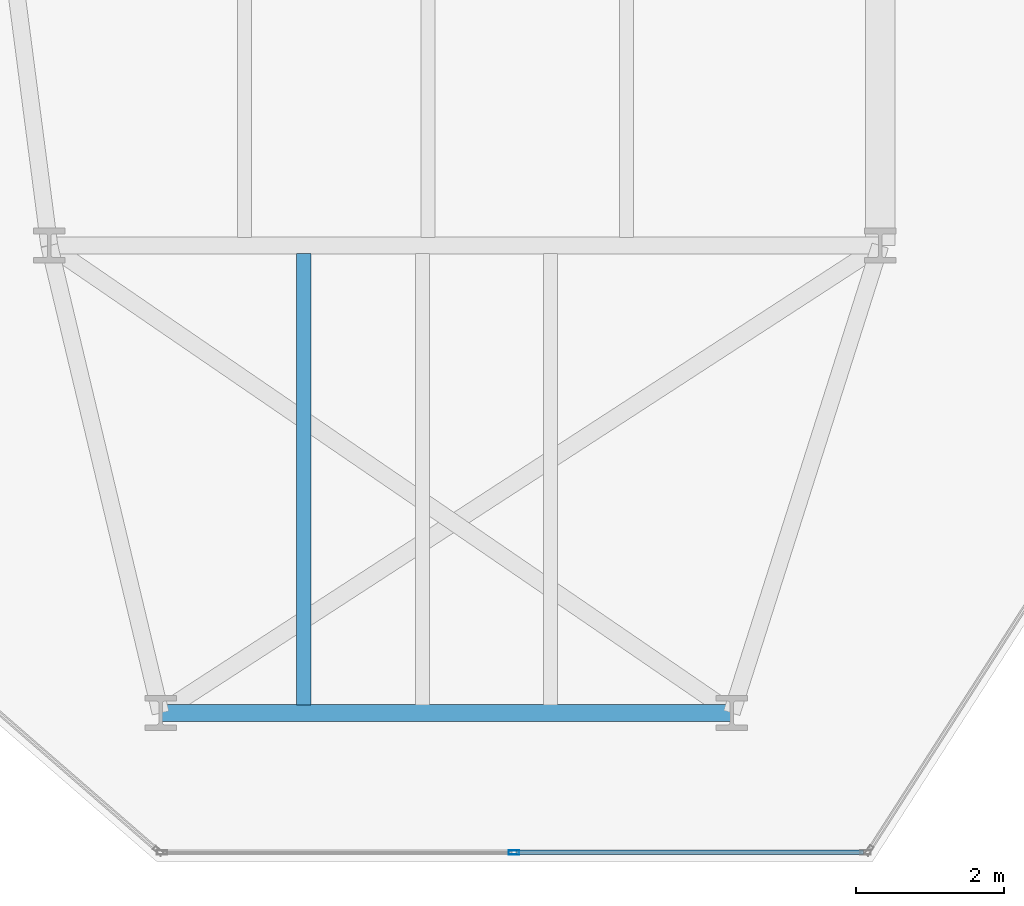
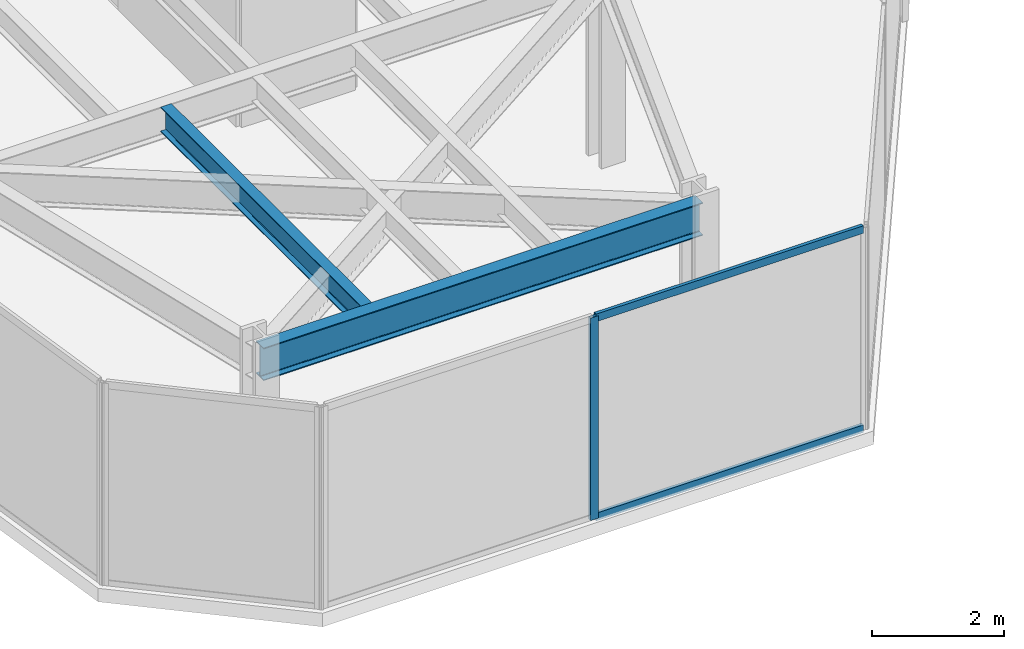
# One storey, part 3 of 26: 3 members, 2 beams, 1 element without a shape of its own.
"""IFC4 building model written with IfcOpenShell, lengths in metres."""

import ifcopenshell
import ifcopenshell.guid

model = None  # the IFC model being written
_history = None  # IfcOwnerHistory: only IFC2X3 demands one
_inside = {}  # id of a spatial element -> (the spatial element, [elements in it])
_under = {}  # id of a project, library or spatial element -> (it, [spatial elements below it])
_declared = {}  # id of a project -> (the project, [libraries it declares])
_typed = {}  # id of a type object -> (the type object, [elements of that type])
_made_of = {}  # id of a material, layer set ... -> (it, [elements and type objects made of it])


def new_model(schema):
    """Start an empty IFC model of exactly this schema.

    Asked for "IFC4X3", IfcOpenShell would pick the latest addendum, in which some entities
    have other attributes; the version numbers below select the first issue.
    IFC2X3 requires an IfcOwnerHistory on every rooted entity: one is made here for all.
    """
    global model, _history
    if schema == "IFC4X3":
        model = ifcopenshell.file(schema_version=(4, 3, 0, 0))
    else:
        model = ifcopenshell.file(schema=schema)
    _inside.clear()
    _under.clear()
    _declared.clear()
    _typed.clear()
    _made_of.clear()
    _history = None
    if model.schema == "IFC2X3":
        org = make("IfcOrganization", Name="unknown")
        user = make(
            "IfcPersonAndOrganization",
            ThePerson=make("IfcPerson", FamilyName="unknown"),
            TheOrganization=org,
        )
        app = make(
            "IfcApplication",
            ApplicationDeveloper=org,
            Version="unknown",
            ApplicationFullName="unknown",
            ApplicationIdentifier="unknown",
        )
        _history = make(
            "IfcOwnerHistory",
            OwningUser=user,
            OwningApplication=app,
            ChangeAction="ADDED",
            CreationDate=0,
        )
    return model


def make(cls, **values):
    """One entity of the class cls with the attributes given. An attribute that is None is left unset."""
    return model.create_entity(
        cls, **{name: value for name, value in values.items() if value is not None}
    )


def rooted(cls, **values):
    """An entity with a GlobalId (a new one), such as an element, a storey or a relation."""
    return make(cls, GlobalId=ifcopenshell.guid.new(), OwnerHistory=_history, **values)


def si_unit(unit_type, name, prefix=None):
    """IfcSIUnit, for example si_unit("LENGTHUNIT", "METRE", prefix="MILLI")."""
    return make("IfcSIUnit", UnitType=unit_type, Prefix=prefix, Name=name)


def assignment(units):
    """IfcUnitAssignment: the units of a project."""
    return None if units is None else make("IfcUnitAssignment", Units=units)


def point(xyz):
    """IfcCartesianPoint."""
    return None if xyz is None else make("IfcCartesianPoint", Coordinates=xyz)


def direction(xyz):
    """IfcDirection."""
    return None if xyz is None else make("IfcDirection", DirectionRatios=xyz)


def frame(location, z_axis=None, x_axis=None):
    """IfcAxis2Placement3D, a coordinate frame: its origin and axes. An axis left out is left unset."""
    return make(
        "IfcAxis2Placement3D",
        Location=point(location),
        Axis=direction(z_axis),
        RefDirection=direction(x_axis),
    )


def frame_2d(location, x_axis=None):
    """IfcAxis2Placement2D, a coordinate frame in the plane: its origin and x axis."""
    return make(
        "IfcAxis2Placement2D", Location=point(location), RefDirection=direction(x_axis)
    )


def origin():
    """The frame at (0, 0, 0) with its axes left unset."""
    return frame((0.0, 0.0, 0.0))


def origin_2d():
    """The frame at (0, 0) in the plane with its x axis left unset."""
    return frame_2d((0.0, 0.0))


def place(relative_to, where):
    """IfcLocalPlacement: puts the frame where relative to a parent placement (None: the world)."""
    return make(
        "IfcLocalPlacement", PlacementRelTo=relative_to, RelativePlacement=where
    )


def context(
    kind, dimensions, precision=None, world=None, true_north=None, identifier=None
):
    """IfcGeometricRepresentationContext, for example the 3D "Model" context."""
    return make(
        "IfcGeometricRepresentationContext",
        ContextIdentifier=identifier,
        ContextType=kind,
        CoordinateSpaceDimension=dimensions,
        Precision=precision,
        WorldCoordinateSystem=world,
        TrueNorth=true_north,
    )


def subcontext(parent, identifier, kind, view, scale=None):
    """IfcGeometricRepresentationSubContext, for example "Body" below "Model"."""
    return make(
        "IfcGeometricRepresentationSubContext",
        ContextIdentifier=identifier,
        ContextType=kind,
        ParentContext=parent,
        TargetScale=scale,
        TargetView=view,
    )


def project(units=None, contexts=None):
    """IfcProject with its units and contexts."""
    return rooted(
        "IfcProject",
        Name="project",
        RepresentationContexts=contexts,
        UnitsInContext=assignment(units),
    )


def spatial(cls, under=None, at=None, **own):
    """A site, building, storey or space (cls), placed at a placement, below another one or the project."""
    s = rooted(cls, ObjectPlacement=at, **own)
    if under is not None:
        _under.setdefault(under.id(), (under, []))[1].append(s)
    return s


def profile(cls, at=None, kind="AREA", **sizes):
    """A parametric profile (cls). Its sizes go by their IFC names, for example OverallWidth=200.0."""
    return make(cls, ProfileType=kind, Position=at, **sizes)


def hollow_rectangle(**sizes):
    """IfcRectangleHollowProfileDef."""
    return profile("IfcRectangleHollowProfileDef", **sizes)


def i_section(**sizes):
    """IfcIShapeProfileDef."""
    return profile("IfcIShapeProfileDef", **sizes)


def extrude(swept, where, along, depth):
    """IfcExtrudedAreaSolid: the profile swept, set in the frame where, extruded along a direction by depth."""
    return make(
        "IfcExtrudedAreaSolid",
        SweptArea=swept,
        Position=where,
        ExtrudedDirection=direction(along),
        Depth=depth,
    )


def shape(context_of_items, identifier, shape_type, items):
    """IfcShapeRepresentation: the items that make up one representation, for example the "Body"."""
    return make(
        "IfcShapeRepresentation",
        ContextOfItems=context_of_items,
        RepresentationIdentifier=identifier,
        RepresentationType=shape_type,
        Items=items,
    )


def material(Name=None, Category=None):
    """IfcMaterial."""
    return make("IfcMaterial", Name=Name, Category=Category)


def layer(
    of_material, thickness, ventilated=None, Name=None, Category=None, Priority=None
):
    """IfcMaterialLayer: one layer of a wall or slab, of a material (None: an air gap)."""
    return make(
        "IfcMaterialLayer",
        Material=of_material,
        LayerThickness=thickness,
        IsVentilated=ventilated,
        Name=Name,
        Category=Category,
        Priority=Priority,
    )


def layer_set(layers, Name=None):
    """IfcMaterialLayerSet."""
    return make("IfcMaterialLayerSet", MaterialLayers=layers, LayerSetName=Name)


def material_profile(
    of_material, cross_section, Name=None, Category=None, Priority=None
):
    """IfcMaterialProfile: a cross section and its material."""
    return make(
        "IfcMaterialProfile",
        Name=Name,
        Material=of_material,
        Profile=cross_section,
        Priority=Priority,
        Category=Category,
    )


def profile_set(profiles, Name=None, composite=None):
    """IfcMaterialProfileSet."""
    return make(
        "IfcMaterialProfileSet",
        Name=Name,
        MaterialProfiles=profiles,
        CompositeProfile=composite,
    )


def made_of(thing, what):
    """Note that an element or type object is made of a material, layer set ...; save() writes the relation."""
    if what is not None:
        _made_of.setdefault(what.id(), (what, []))[1].append(thing)
    return thing


def type_object(cls, material=None, **own):
    """A type object (cls), such as IfcWallType, which elements share."""
    return made_of(rooted(cls, **own), material)


def element(
    cls,
    number,
    at=None,
    inside=None,
    cuts=None,
    type_object=None,
    material=None,
    context=None,
    identifier="Body",
    shape_type=None,
    held_by="IfcProductDefinitionShape",
    body=None,
    shapes=None,
    **own,
):
    """One element of the class cls, such as IfcWall. Its Tag is "e" and its number.

    at: its placement. inside: the storey or other place that contains it. cuts: it is an
    opening in that element (IfcRelVoidsElement). A single representation is given by context,
    identifier, shape_type and body (its items); several are given by shapes. held_by: the class
    of the entity that holds the representations. save() writes the other relations.
    """
    e = rooted(cls, Tag="e%d" % number, ObjectPlacement=at, **own)
    if body is not None:
        shapes = [shape(context, identifier, shape_type, body)]
    if shapes is not None:
        e.Representation = make(held_by, Representations=shapes)
    if inside is not None:
        _inside.setdefault(inside.id(), (inside, []))[1].append(e)
    if cuts is not None:
        rooted(
            "IfcRelVoidsElement", RelatingBuildingElement=cuts, RelatedOpeningElement=e
        )
    if type_object is not None:
        _typed.setdefault(type_object.id(), (type_object, []))[1].append(e)
    return made_of(e, material)


def aggregate(whole, parts):
    """IfcRelAggregates: a whole, such as a stair, and the parts it consists of."""
    return rooted("IfcRelAggregates", RelatingObject=whole, RelatedObjects=parts)


def save(model, path):
    """Write the relations noted so far, then the file.

    IfcRelAggregates (storeys below a building ...), IfcRelContainedInSpatialStructure (elements
    in a storey), IfcRelDefinesByType, IfcRelAssociatesMaterial and IfcRelDeclares: one each for
    every whole, place, type object, material and project.
    """
    for whole, parts in _under.values():
        aggregate(whole, parts)
    for where, things in _inside.values():
        rooted(
            "IfcRelContainedInSpatialStructure",
            RelatedElements=things,
            RelatingStructure=where,
        )
    for kind, things in _typed.values():
        rooted("IfcRelDefinesByType", RelatedObjects=things, RelatingType=kind)
    for what, things in _made_of.values():
        rooted("IfcRelAssociatesMaterial", RelatedObjects=things, RelatingMaterial=what)
    for by, libraries in _declared.values():
        rooted("IfcRelDeclares", RelatingContext=by, RelatedDefinitions=libraries)
    model.write(path)


model = new_model("IFC4")

# Units and contexts
model_context = context("Model", 3, precision=1e-05, world=origin(), true_north=direction((0.0, 1.0)))
body_context = subcontext(model_context, "Body", "Model", "MODEL_VIEW")
ifc_project = project(units=[si_unit("LENGTHUNIT", "METRE"), si_unit("AREAUNIT", "SQUARE_METRE"), si_unit("VOLUMEUNIT", "CUBIC_METRE"), si_unit("PLANEANGLEUNIT", "RADIAN"), si_unit("MASSUNIT", "GRAM", prefix="KILO")], contexts=[model_context])

# Site, building, storey
site_placement = place(None, origin())
site = spatial("IfcSite", under=ifc_project, at=site_placement, CompositionType="ELEMENT")
building_placement = place(site_placement, origin())
building = spatial("IfcBuilding", under=site, at=building_placement, Name="Kravanh Interchange Tower", CompositionType="ELEMENT")
storey_placement = place(building_placement, frame((0.0, 0.0, 112.0)))
storey = spatial("IfcBuildingStorey", under=building, at=storey_placement, Name="L26", CompositionType="ELEMENT", Elevation=112.0)

# Curtain wall, members
ifc_material_1 = material(Name="Anodised Bronze Aluminium", Category="aluminium")
ifc_layer = layer(ifc_material_1, 0.179931640625)
ifc_layer_set = layer_set([ifc_layer], Name="Unitised Curtain Wall System CW-Z2 Mid Office")
curtain_wall_type = type_object("IfcCurtainWallType", Name="Unitised Curtain Wall System CW-Z2 Mid Office", PredefinedType="NOTDEFINED", material=ifc_layer_set)
curtain_wall_placement = place(storey_placement, origin())
curtain_wall = element("IfcCurtainWall", 1, at=curtain_wall_placement, inside=storey, type_object=curtain_wall_type, Name="L26 Unitised Curtain Wall CW-L26-06", PredefinedType="NOTDEFINED")
ifc_material_2 = material(Name="Anodised Bronze Aluminium", Category="aluminium")
ifc_material_profile_1 = material_profile(ifc_material_2, hollow_rectangle(XDim=0.06005859375, YDim=0.139892578125, WallThickness=0.00390625, at=origin_2d()), Name="ALU60X140X4")
ifc_profile_set_1 = profile_set([ifc_material_profile_1], Name="Anodised Bronze Aluminium")
member_type_1 = type_object("IfcMemberType", Name="Curtain Wall Mullion ALU60X140X4 Bronze", PredefinedType="MULLION", material=ifc_profile_set_1)
member_1_placement = place(storey_placement, frame((22.26220703125, 6.320068359375, 0.0), z_axis=(0.0, 0.0, 1.0), x_axis=(0.0, -1.0, 0.0)))
member_1 = element("IfcMember", 2, at=member_1_placement, type_object=member_type_1, Name="CW-Z2 mullion 2", PredefinedType="MULLION", context=body_context, shape_type="SweptSolid", body=[
    extrude(hollow_rectangle(XDim=0.06005859375, YDim=0.139892578125, WallThickness=0.00390625, at=origin_2d()), origin(), (0.0, 0.0, 1.0), 3.75),
])
ifc_material_3 = material(Name="Anodised Bronze Aluminium", Category="aluminium")
ifc_material_profile_2 = material_profile(ifc_material_3, hollow_rectangle(XDim=0.06005859375, YDim=0.139892578125, WallThickness=0.00390625, at=origin_2d()), Name="ALU60X140X4")
ifc_profile_set_2 = profile_set([ifc_material_profile_2], Name="Anodised Bronze Aluminium")
member_type_2 = type_object("IfcMemberType", Name="Curtain Wall Transom ALU60X140X4 Bronze", PredefinedType="USERDEFINED", material=ifc_profile_set_2)
member_2_placement = place(storey_placement, frame((26.974365234375, 6.320068359375, 0.030029296875), z_axis=(-1.0, 0.0, 0.0), x_axis=(0.0, -1.0, 0.0)))
member_2 = element("IfcMember", 3, at=member_2_placement, type_object=member_type_2, Name="CW-Z2 transom 1.1", ObjectType="TRANSOM", PredefinedType="USERDEFINED", context=body_context, shape_type="SweptSolid", body=[
    extrude(hollow_rectangle(XDim=0.06005859375, YDim=0.139892578125, WallThickness=0.00390625, at=origin_2d()), origin(), (0.0, 0.0, 1.0), 4.682373046875),
])
member_3_placement = place(storey_placement, frame((26.974365234375, 6.320068359375, 3.719970703125), z_axis=(-1.0, 0.0, 0.0), x_axis=(0.0, -1.0, 0.0)))
member_3 = element("IfcMember", 4, at=member_3_placement, type_object=member_type_2, Name="CW-Z2 transom 1.2", ObjectType="TRANSOM", PredefinedType="USERDEFINED", context=body_context, shape_type="SweptSolid", body=[
    extrude(hollow_rectangle(XDim=0.06005859375, YDim=0.139892578125, WallThickness=0.00390625, at=origin_2d()), origin(), (0.0, 0.0, 1.0), 4.682373046875),
])
aggregate(curtain_wall, [member_1, member_2, member_3])

# Beams
ifc_material_4 = material(Name="Structural Steel S355", Category="steel")
ifc_material_profile_3 = material_profile(ifc_material_4, i_section(OverallWidth=0.18994140625, OverallDepth=0.45703125, WebThickness=0.009033203125, FlangeThickness=0.014404296875, FilletRadius=0.01806640625, at=origin_2d()), Name="W18X50")
ifc_profile_set_3 = profile_set([ifc_material_profile_3], Name="Structural Steel S355")
beam_type_1 = type_object("IfcBeamType", Name="Floor Joist W18X50 Structural Steel S355", PredefinedType="JOIST", material=ifc_profile_set_3)
beam_1_placement = place(storey_placement, frame((19.429931640625, 8.30908203125, 3.521484375), z_axis=(0.0, 1.0, 0.0), x_axis=(-1.0, 0.0, 0.0)))
element("IfcBeam", 5, at=beam_1_placement, inside=storey, type_object=beam_type_1, Name="L26 Secondary Floor Joist 1", PredefinedType="JOIST", context=body_context, shape_type="SweptSolid", body=[
    extrude(i_section(OverallWidth=0.18994140625, OverallDepth=0.45703125, WebThickness=0.009033203125, FlangeThickness=0.014404296875, FilletRadius=0.01806640625, at=origin_2d()), origin(), (0.0, 0.0, 1.0), 6.08203125),
])
ifc_material_5 = material(Name="Structural Steel S355", Category="steel")
ifc_material_profile_4 = material_profile(ifc_material_5, i_section(OverallWidth=0.22802734375, OverallDepth=0.60791015625, WebThickness=0.01123046875, FlangeThickness=0.017333984375, FilletRadius=0.02197265625, at=origin_2d()), Name="W24X76")
ifc_profile_set_4 = profile_set([ifc_material_profile_4], Name="Structural Steel S355")
beam_type_2 = type_object("IfcBeamType", Name="Floor Spandrel W24X76 Structural Steel S355", PredefinedType="SPANDREL", material=ifc_profile_set_4)
beam_2_placement = place(storey_placement, frame((17.5, 8.199951171875, 3.446044921875), z_axis=(1.0, 0.0, 0.0), x_axis=(0.0, 1.0, 0.0)))
element("IfcBeam", 6, at=beam_2_placement, inside=storey, type_object=beam_type_2, Name="L26 Perimeter Spandrel 35", PredefinedType="SPANDREL", context=body_context, shape_type="SweptSolid", body=[
    extrude(i_section(OverallWidth=0.22802734375, OverallDepth=0.60791015625, WebThickness=0.01123046875, FlangeThickness=0.017333984375, FilletRadius=0.02197265625, at=origin_2d()), origin(), (0.0, 0.0, 1.0), 7.699951171875),
])

save(model, "model.ifc")
